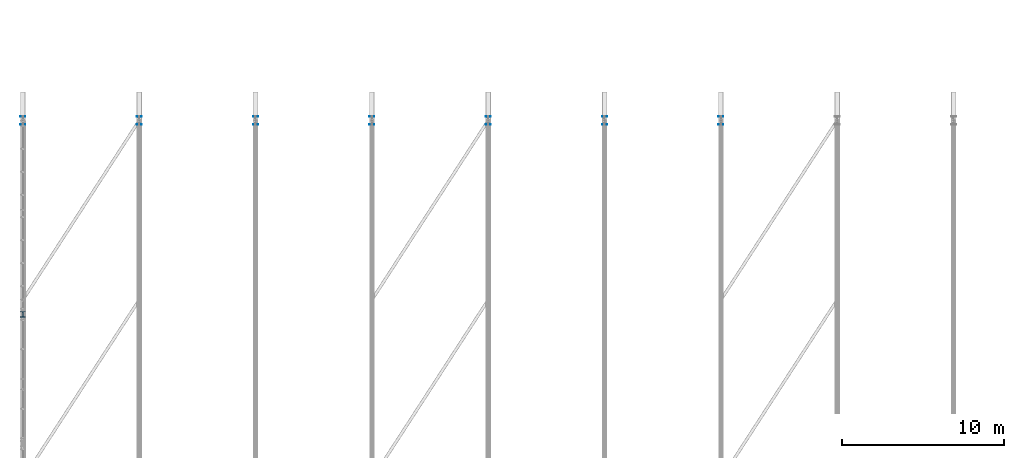
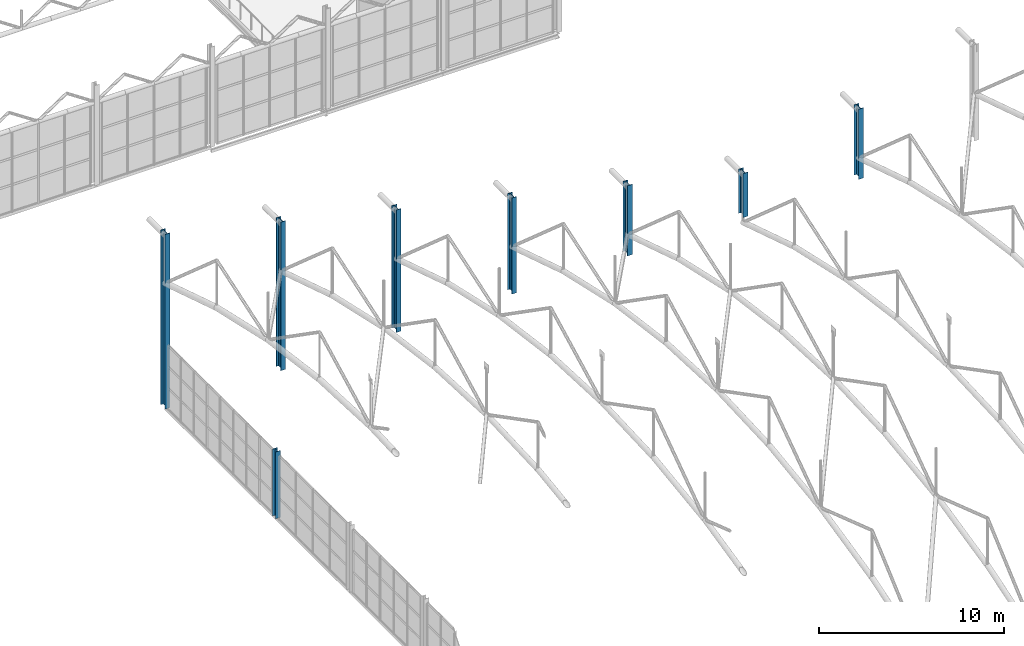
# One storey, part 3 of 153: 8 columns.
"""IFC4 building model written with IfcOpenShell, lengths in metres."""

from ifc_helpers import new_model, si_unit, derived_unit, direction, frame, origin, origin_2d, place, context, subcontext, project, spatial, i_section, extrude, material, material_profile, profile_set, type_object, element, save


model = new_model("IFC4")

# Units and contexts
model_context = context("Model", 3, precision=1e-05, world=origin(), true_north=direction((0.0, 1.0)))
body_context = subcontext(model_context, "Body", "Model", "MODEL_VIEW")
ifc_project = project(units=[si_unit("LENGTHUNIT", "METRE"), si_unit("AREAUNIT", "SQUARE_METRE"), si_unit("VOLUMEUNIT", "CUBIC_METRE"), si_unit("PLANEANGLEUNIT", "RADIAN"), si_unit("MASSUNIT", "GRAM", prefix="KILO"), derived_unit("THERMALTRANSMITTANCEUNIT", [(si_unit("POWERUNIT", "WATT"), 1), (si_unit("LENGTHUNIT", "METRE"), -2), (si_unit("THERMODYNAMICTEMPERATUREUNIT", "KELVIN"), -1)])], contexts=[model_context])

# Site, building, storey
site_placement = place(None, origin())
site = spatial("IfcSite", under=ifc_project, at=site_placement, CompositionType="ELEMENT")
building_placement = place(site_placement, origin())
building = spatial("IfcBuilding", under=site, at=building_placement, Name="Keldorne Ridge Multi-Sports Centre", CompositionType="ELEMENT")
storey_placement = place(building_placement, frame((0.0, 0.0, 9.60009765625)))
storey = spatial("IfcBuildingStorey", under=building, at=storey_placement, Name="L02", CompositionType="ELEMENT", Elevation=9.60009765625)

# Columns
ifc_material = material(Name="Steel S355", Category="steel")
ifc_material_profile_1 = material_profile(ifc_material, i_section(OverallWidth=0.300048828125, OverallDepth=0.5, WebThickness=0.014404296875, FlangeThickness=0.028076171875, FilletRadius=0.027099609375, at=origin_2d()), Name="HEB 500")
ifc_profile_set_1 = profile_set([ifc_material_profile_1], Name="Steel S355")
column_type_1 = type_object("IfcColumnType", Name="COL-C-05", PredefinedType="COLUMN", material=ifc_profile_set_1)
column_1_placement = place(storey_placement, frame((6.0, 54.0, 0.0), z_axis=(0.0, 0.0, 1.0), x_axis=(1.0, 0.0, 0.0)))
element("IfcColumn", 1, at=column_1_placement, inside=storey, type_object=column_type_1, Name="Structural column V1-HALL-N-01 on L02", PredefinedType="COLUMN", context=body_context, shape_type="SweptSolid", body=[
    extrude(i_section(OverallWidth=0.300048828125, OverallDepth=0.5, WebThickness=0.014404296875, FlangeThickness=0.028076171875, FilletRadius=0.027099609375, at=origin_2d()), origin(), (0.0, 0.0, 1.0), 11.5),
])
column_2_placement = place(storey_placement, frame((13.199951171875, 54.0, 0.0), z_axis=(0.0, 0.0, 1.0), x_axis=(1.0, 0.0, 0.0)))
element("IfcColumn", 2, at=column_2_placement, inside=storey, type_object=column_type_1, Name="Structural column V1-HALL-N-02 on L02", PredefinedType="COLUMN", context=body_context, shape_type="SweptSolid", body=[
    extrude(i_section(OverallWidth=0.300048828125, OverallDepth=0.5, WebThickness=0.014404296875, FlangeThickness=0.028076171875, FilletRadius=0.027099609375, at=origin_2d()), origin(), (0.0, 0.0, 1.0), 9.77978515625),
])
column_3_placement = place(storey_placement, frame((20.39990234375, 54.0, 0.0), z_axis=(0.0, 0.0, 1.0), x_axis=(1.0, 0.0, 0.0)))
element("IfcColumn", 3, at=column_3_placement, inside=storey, type_object=column_type_1, Name="Structural column V1-HALL-N-03 on L02", PredefinedType="COLUMN", context=body_context, shape_type="SweptSolid", body=[
    extrude(i_section(OverallWidth=0.300048828125, OverallDepth=0.5, WebThickness=0.014404296875, FlangeThickness=0.028076171875, FilletRadius=0.027099609375, at=origin_2d()), origin(), (0.0, 0.0, 1.0), 8.059814453125),
])
column_4_placement = place(storey_placement, frame((27.60009765625, 54.0, 0.0), z_axis=(0.0, 0.0, 1.0), x_axis=(1.0, 0.0, 0.0)))
element("IfcColumn", 4, at=column_4_placement, inside=storey, type_object=column_type_1, Name="Structural column V1-HALL-N-04 on L02", PredefinedType="COLUMN", context=body_context, shape_type="SweptSolid", body=[
    extrude(i_section(OverallWidth=0.300048828125, OverallDepth=0.5, WebThickness=0.014404296875, FlangeThickness=0.028076171875, FilletRadius=0.027099609375, at=origin_2d()), origin(), (0.0, 0.0, 1.0), 6.33984375),
])
column_5_placement = place(storey_placement, frame((34.800048828125, 54.0, 0.0), z_axis=(0.0, 0.0, 1.0), x_axis=(1.0, 0.0, 0.0)))
element("IfcColumn", 5, at=column_5_placement, inside=storey, type_object=column_type_1, Name="Structural column V1-HALL-N-05 on L02", PredefinedType="COLUMN", context=body_context, shape_type="SweptSolid", body=[
    extrude(i_section(OverallWidth=0.300048828125, OverallDepth=0.5, WebThickness=0.014404296875, FlangeThickness=0.028076171875, FilletRadius=0.027099609375, at=origin_2d()), origin(), (0.0, 0.0, 1.0), 4.619873046875),
])
column_6_placement = place(storey_placement, frame((42.0, 54.0, 0.0), z_axis=(0.0, 0.0, 1.0), x_axis=(1.0, 0.0, 0.0)))
element("IfcColumn", 6, at=column_6_placement, inside=storey, type_object=column_type_1, Name="Structural column V1-HALL-N-06 on L02", PredefinedType="COLUMN", context=body_context, shape_type="SweptSolid", body=[
    extrude(i_section(OverallWidth=0.300048828125, OverallDepth=0.5, WebThickness=0.014404296875, FlangeThickness=0.028076171875, FilletRadius=0.027099609375, at=origin_2d()), origin(), (0.0, 0.0, 1.0), 2.89990234375),
])
column_7_placement = place(storey_placement, frame((49.199951171875, 54.0, 0.0), z_axis=(0.0, 0.0, 1.0), x_axis=(1.0, 0.0, 0.0)))
element("IfcColumn", 7, at=column_7_placement, inside=storey, type_object=column_type_1, Name="Structural column V1-HALL-N-07 on L02", PredefinedType="COLUMN", context=body_context, shape_type="SweptSolid", body=[
    extrude(i_section(OverallWidth=0.300048828125, OverallDepth=0.5, WebThickness=0.014404296875, FlangeThickness=0.028076171875, FilletRadius=0.027099609375, at=origin_2d()), origin(), (0.0, 0.0, 1.0), 4.619873046875),
])
ifc_material_profile_2 = material_profile(ifc_material, i_section(OverallWidth=0.300048828125, OverallDepth=0.340087890625, WebThickness=0.011962890625, FlangeThickness=0.021484375, FilletRadius=0.027099609375, at=origin_2d()), Name="HEB 340")
ifc_profile_set_2 = profile_set([ifc_material_profile_2], Name="Steel S355")
column_type_2 = type_object("IfcColumnType", Name="COL-C-11", PredefinedType="COLUMN", material=ifc_profile_set_2)
column_8_placement = place(storey_placement, frame((6.0, 42.0, 0.0), z_axis=(0.0, 0.0, 1.0), x_axis=(1.0, 0.0, 0.0)))
element("IfcColumn", 8, at=column_8_placement, inside=storey, type_object=column_type_2, Name="Structural column V1-GABLE-W-04 on L02", PredefinedType="COLUMN", context=body_context, shape_type="SweptSolid", body=[
    extrude(i_section(OverallWidth=0.300048828125, OverallDepth=0.340087890625, WebThickness=0.011962890625, FlangeThickness=0.021484375, FilletRadius=0.027099609375, at=origin_2d()), origin(), (0.0, 0.0, 1.0), 4.39990234375),
])

save(model, "model.ifc")
